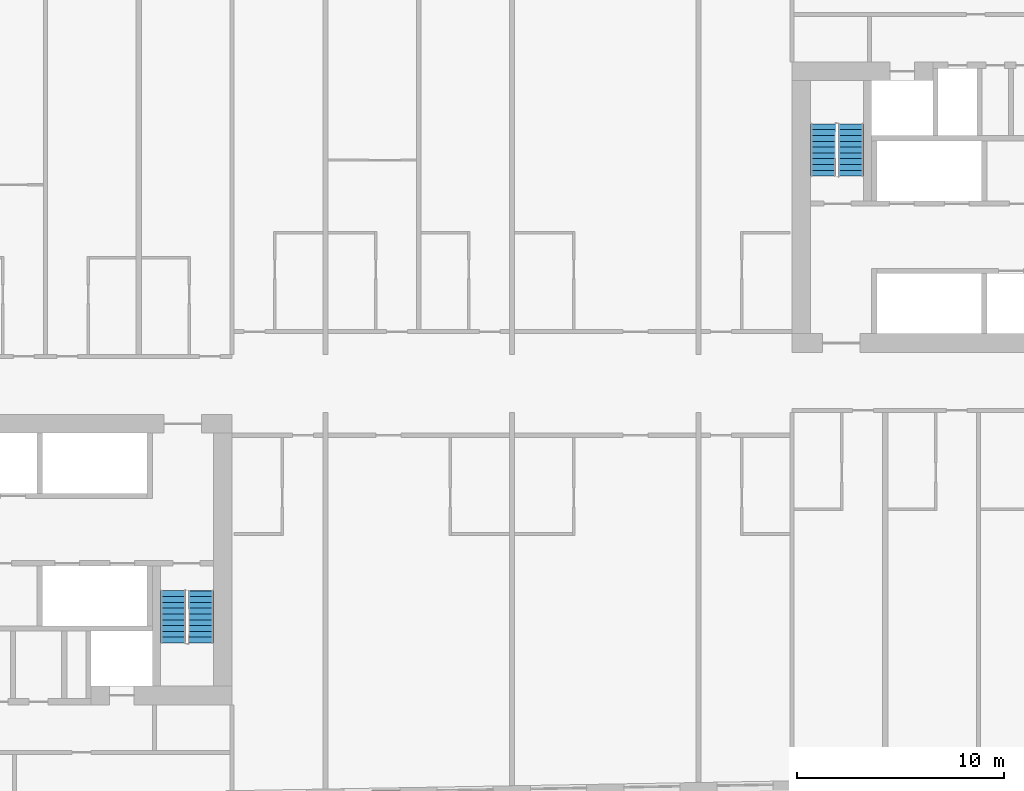
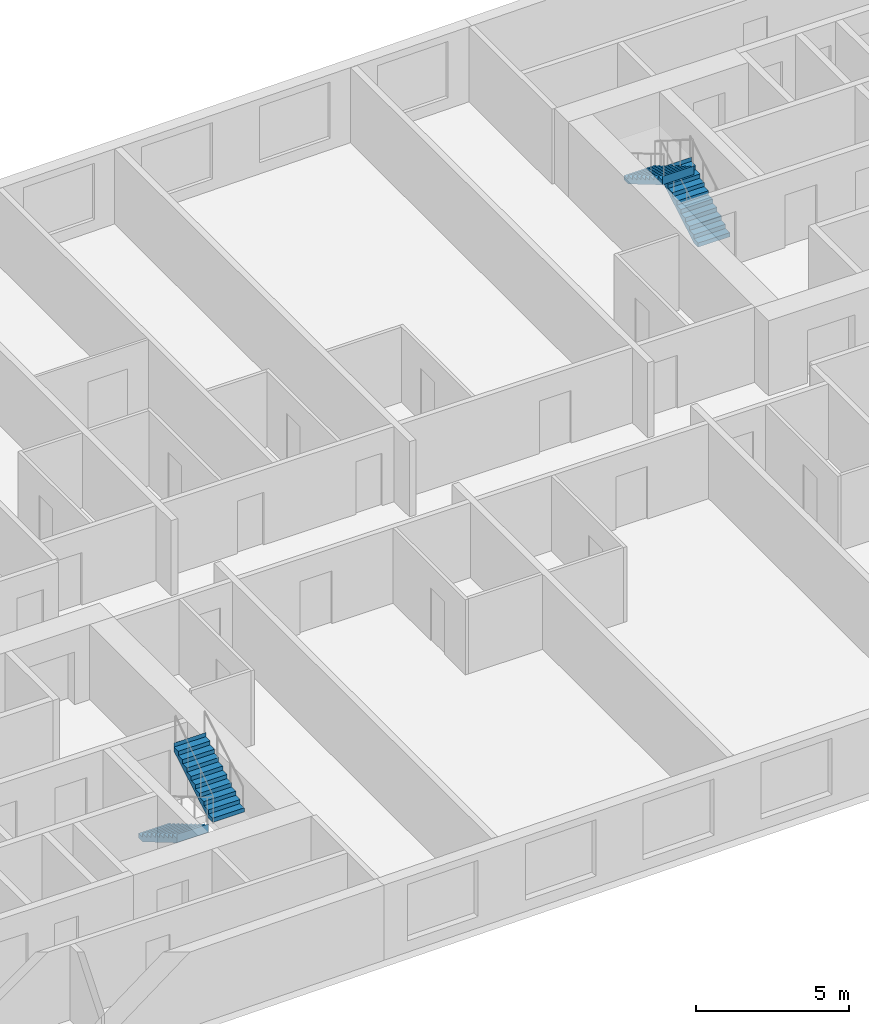
# One storey, part 9 of 11: 4 stair flights, 2 elements without a shape of their own.
"""IFC4 building model written with IfcOpenShell, lengths in metres."""

from ifc_helpers import new_model, si_unit, direction, frame, origin, place, context, subcontext, project, spatial, faceted_brep, material, type_object, element, aggregate, save


model = new_model("IFC4")

# Units and contexts
model_context = context("Model", 3, precision=1e-05, world=origin(), true_north=direction((0.0, 1.0)))
body_context = subcontext(model_context, "Body", "Model", "MODEL_VIEW")
ifc_project = project(units=[si_unit("LENGTHUNIT", "METRE"), si_unit("AREAUNIT", "SQUARE_METRE"), si_unit("VOLUMEUNIT", "CUBIC_METRE"), si_unit("PLANEANGLEUNIT", "RADIAN"), si_unit("MASSUNIT", "GRAM", prefix="KILO")], contexts=[model_context])

# Site, building, storey
site_placement = place(None, origin())
site = spatial("IfcSite", under=ifc_project, at=site_placement, CompositionType="ELEMENT")
building_placement = place(site_placement, origin())
building = spatial("IfcBuilding", under=site, at=building_placement, Name="Kajstack Hotel Tower", CompositionType="ELEMENT")
storey_placement = place(building_placement, frame((0.0, 0.0, 254.0)))
storey = spatial("IfcBuildingStorey", under=building, at=storey_placement, Name="L63", CompositionType="ELEMENT", Elevation=254.0)

# Stair, stair flights
ifc_material = material(Name="Concrete C40/50", Category="concrete")
stair_type = type_object("IfcStairType", Name="Exit stair 1200", PredefinedType="HALF_TURN_STAIR", material=ifc_material)
stair_1_placement = place(storey_placement, origin())
stair_1 = element("IfcStair", 1, at=stair_1_placement, inside=storey, type_object=stair_type, Name="L63 stair W2", PredefinedType="HALF_TURN_STAIR")
stair_flight_type = type_object("IfcStairFlightType", Name="Exit stair flight 1200", PredefinedType="STRAIGHT", material=ifc_material)
stair_flight_1_placement = place(storey_placement, frame((-16.35009765625, -10.0, 0.0), z_axis=(0.0, 0.0, 1.0), x_axis=(0.0, -1.0, 0.0)))
stair_flight_1 = element("IfcStairFlight", 2, at=stair_flight_1_placement, type_object=stair_flight_type, Name="W2 flight 1", NumberOfRisers=10, NumberOfTreads=9, PredefinedType="STRAIGHT", RiserHeight=0.165, TreadLength=0.28, context=body_context, shape_type="Brep", body=[
    faceted_brep([(0.295654296875, -0.60009765625, 0.0), (2.5205078125, -0.60009765625, 1.31103515625), (2.5205078125, -0.60009765625, 1.64990234375), (2.52001953125, -0.60009765625, 1.64990234375), (2.52001953125, -0.60009765625, 1.485107421875), (2.239990234375, -0.60009765625, 1.485107421875), (2.239990234375, -0.60009765625, 1.320068359375), (1.9599609375, -0.60009765625, 1.320068359375), (1.9599609375, -0.60009765625, 1.155029296875), (1.679931640625, -0.60009765625, 1.155029296875), (1.679931640625, -0.60009765625, 0.989990234375), (1.39990234375, -0.60009765625, 0.989990234375), (1.39990234375, -0.60009765625, 0.824951171875), (1.1201171875, -0.60009765625, 0.824951171875), (1.1201171875, -0.60009765625, 0.659912109375), (0.840087890625, -0.60009765625, 0.659912109375), (0.840087890625, -0.60009765625, 0.4951171875), (0.56005859375, -0.60009765625, 0.4951171875), (0.56005859375, -0.60009765625, 0.330078125), (0.280029296875, -0.60009765625, 0.330078125), (0.280029296875, -0.60009765625, 0.1650390625), (-0.00048828125, -0.60009765625, 0.1650390625), (-0.00048828125, -0.60009765625, 0.0), (-0.00048828125, 0.60009765625, 0.0), (-0.00048828125, 0.60009765625, 0.1650390625), (0.280029296875, 0.60009765625, 0.1650390625), (0.280029296875, 0.60009765625, 0.330078125), (0.56005859375, 0.60009765625, 0.330078125), (0.56005859375, 0.60009765625, 0.4951171875), (0.840087890625, 0.60009765625, 0.4951171875), (0.840087890625, 0.60009765625, 0.659912109375), (1.1201171875, 0.60009765625, 0.659912109375), (1.1201171875, 0.60009765625, 0.824951171875), (1.39990234375, 0.60009765625, 0.824951171875), (1.39990234375, 0.60009765625, 0.989990234375), (1.679931640625, 0.60009765625, 0.989990234375), (1.679931640625, 0.60009765625, 1.155029296875), (1.9599609375, 0.60009765625, 1.155029296875), (1.9599609375, 0.60009765625, 1.320068359375), (2.239990234375, 0.60009765625, 1.320068359375), (2.239990234375, 0.60009765625, 1.485107421875), (2.52001953125, 0.60009765625, 1.485107421875), (2.52001953125, 0.60009765625, 1.64990234375), (2.5205078125, 0.60009765625, 1.64990234375), (2.5205078125, 0.60009765625, 1.31103515625), (0.295654296875, 0.60009765625, 0.0), (-0.00048828125, -0.300048828125, 0.1650390625), (-0.00048828125, 0.0, 0.1650390625), (-0.00048828125, 0.300048828125, 0.1650390625), (-0.00048828125, 0.300048828125, 0.0), (-0.00048828125, 0.0, 0.0), (-0.00048828125, -0.300048828125, 0.0), (0.280029296875, -0.300048828125, 0.1650390625), (0.280029296875, 0.0, 0.1650390625), (0.280029296875, 0.300048828125, 0.1650390625), (0.280029296875, -0.300048828125, 0.330078125), (0.280029296875, 0.0, 0.330078125), (0.280029296875, 0.300048828125, 0.330078125), (0.56005859375, -0.300048828125, 0.330078125), (0.56005859375, 0.0, 0.330078125), (0.56005859375, 0.300048828125, 0.330078125), (0.56005859375, -0.300048828125, 0.4951171875), (0.56005859375, 0.0, 0.4951171875), (0.56005859375, 0.300048828125, 0.4951171875), (0.840087890625, -0.300048828125, 0.4951171875), (0.840087890625, 0.0, 0.4951171875), (0.840087890625, 0.300048828125, 0.4951171875), (0.840087890625, -0.300048828125, 0.659912109375), (0.840087890625, 0.0, 0.659912109375), (0.840087890625, 0.300048828125, 0.659912109375), (1.1201171875, -0.300048828125, 0.659912109375), (1.1201171875, 0.0, 0.659912109375), (1.1201171875, 0.300048828125, 0.659912109375), (1.1201171875, -0.300048828125, 0.824951171875), (1.1201171875, 0.0, 0.824951171875), (1.1201171875, 0.300048828125, 0.824951171875), (1.39990234375, -0.300048828125, 0.824951171875), (1.39990234375, 0.0, 0.824951171875), (1.39990234375, 0.300048828125, 0.824951171875), (1.39990234375, -0.300048828125, 0.989990234375), (1.39990234375, 0.0, 0.989990234375), (1.39990234375, 0.300048828125, 0.989990234375), (1.679931640625, -0.300048828125, 0.989990234375), (1.679931640625, 0.0, 0.989990234375), (1.679931640625, 0.300048828125, 0.989990234375), (1.679931640625, -0.300048828125, 1.155029296875), (1.679931640625, 0.0, 1.155029296875), (1.679931640625, 0.300048828125, 1.155029296875), (1.9599609375, -0.300048828125, 1.155029296875), (1.9599609375, 0.0, 1.155029296875), (1.9599609375, 0.300048828125, 1.155029296875), (1.9599609375, -0.300048828125, 1.320068359375), (1.9599609375, 0.0, 1.320068359375), (1.9599609375, 0.300048828125, 1.320068359375), (2.239990234375, -0.300048828125, 1.320068359375), (2.239990234375, 0.0, 1.320068359375), (2.239990234375, 0.300048828125, 1.320068359375), (2.239990234375, -0.300048828125, 1.485107421875), (2.239990234375, 0.0, 1.485107421875), (2.239990234375, 0.300048828125, 1.485107421875), (2.52001953125, -0.300048828125, 1.485107421875), (2.52001953125, 0.0, 1.485107421875), (2.52001953125, 0.300048828125, 1.485107421875), (2.52001953125, -0.300048828125, 1.64990234375), (2.52001953125, 0.0, 1.64990234375), (2.52001953125, 0.300048828125, 1.64990234375), (2.5205078125, -0.300048828125, 1.64990234375), (2.5205078125, 0.0, 1.64990234375), (2.5205078125, 0.300048828125, 1.64990234375), (2.5205078125, -0.300048828125, 1.31103515625), (2.5205078125, 0.0, 1.31103515625), (2.5205078125, 0.300048828125, 1.31103515625), (0.295654296875, -0.300048828125, 0.0), (0.295654296875, 0.0, 0.0), (0.295654296875, 0.300048828125, 0.0)], [[[0, 1, 2, 3, 4, 5, 6, 7, 8, 9, 10, 11, 12, 13, 14, 15, 16, 17, 18, 19, 20, 21, 22]], [[23, 24, 25, 26, 27, 28, 29, 30, 31, 32, 33, 34, 35, 36, 37, 38, 39, 40, 41, 42, 43, 44, 45]], [[21, 46, 47, 48, 24, 23, 49, 50, 51, 22]], [[20, 52, 53, 54, 25, 24, 48, 47, 46, 21]], [[19, 55, 56, 57, 26, 25, 54, 53, 52, 20]], [[18, 58, 59, 60, 27, 26, 57, 56, 55, 19]], [[17, 61, 62, 63, 28, 27, 60, 59, 58, 18]], [[16, 64, 65, 66, 29, 28, 63, 62, 61, 17]], [[15, 67, 68, 69, 30, 29, 66, 65, 64, 16]], [[14, 70, 71, 72, 31, 30, 69, 68, 67, 15]], [[13, 73, 74, 75, 32, 31, 72, 71, 70, 14]], [[12, 76, 77, 78, 33, 32, 75, 74, 73, 13]], [[11, 79, 80, 81, 34, 33, 78, 77, 76, 12]], [[10, 82, 83, 84, 35, 34, 81, 80, 79, 11]], [[9, 85, 86, 87, 36, 35, 84, 83, 82, 10]], [[8, 88, 89, 90, 37, 36, 87, 86, 85, 9]], [[7, 91, 92, 93, 38, 37, 90, 89, 88, 8]], [[6, 94, 95, 96, 39, 38, 93, 92, 91, 7]], [[5, 97, 98, 99, 40, 39, 96, 95, 94, 6]], [[4, 100, 101, 102, 41, 40, 99, 98, 97, 5]], [[3, 103, 104, 105, 42, 41, 102, 101, 100, 4]], [[2, 106, 107, 108, 43, 42, 105, 104, 103, 3]], [[1, 109, 110, 111, 44, 43, 108, 107, 106, 2]], [[0, 112, 113, 114, 45, 44, 111, 110, 109, 1]], [[22, 51, 50, 49, 23, 45, 114, 113, 112, 0]]]),
])
stair_flight_2_placement = place(storey_placement, frame((-15.0, -12.52001953125, 1.64990234375), z_axis=(0.0, 0.0, 1.0), x_axis=(0.0, 1.0, 0.0)))
stair_flight_2 = element("IfcStairFlight", 3, at=stair_flight_2_placement, type_object=stair_flight_type, Name="W2 flight 2", NumberOfRisers=10, NumberOfTreads=9, PredefinedType="STRAIGHT", RiserHeight=0.165, TreadLength=0.28, context=body_context, shape_type="Brep", body=[
    faceted_brep([(0.295654296875, -0.60009765625, 0.0), (2.5205078125, -0.60009765625, 1.31103515625), (2.5205078125, -0.60009765625, 1.64990234375), (2.52001953125, -0.60009765625, 1.64990234375), (2.52001953125, -0.60009765625, 1.485107421875), (2.239990234375, -0.60009765625, 1.485107421875), (2.239990234375, -0.60009765625, 1.320068359375), (1.9599609375, -0.60009765625, 1.320068359375), (1.9599609375, -0.60009765625, 1.155029296875), (1.679931640625, -0.60009765625, 1.155029296875), (1.679931640625, -0.60009765625, 0.989990234375), (1.39990234375, -0.60009765625, 0.989990234375), (1.39990234375, -0.60009765625, 0.824951171875), (1.1201171875, -0.60009765625, 0.824951171875), (1.1201171875, -0.60009765625, 0.659912109375), (0.840087890625, -0.60009765625, 0.659912109375), (0.840087890625, -0.60009765625, 0.4951171875), (0.56005859375, -0.60009765625, 0.4951171875), (0.56005859375, -0.60009765625, 0.330078125), (0.280029296875, -0.60009765625, 0.330078125), (0.280029296875, -0.60009765625, 0.1650390625), (-0.00048828125, -0.60009765625, 0.1650390625), (-0.00048828125, -0.60009765625, 0.0), (-0.00048828125, 0.60009765625, 0.0), (-0.00048828125, 0.60009765625, 0.1650390625), (0.280029296875, 0.60009765625, 0.1650390625), (0.280029296875, 0.60009765625, 0.330078125), (0.56005859375, 0.60009765625, 0.330078125), (0.56005859375, 0.60009765625, 0.4951171875), (0.840087890625, 0.60009765625, 0.4951171875), (0.840087890625, 0.60009765625, 0.659912109375), (1.1201171875, 0.60009765625, 0.659912109375), (1.1201171875, 0.60009765625, 0.824951171875), (1.39990234375, 0.60009765625, 0.824951171875), (1.39990234375, 0.60009765625, 0.989990234375), (1.679931640625, 0.60009765625, 0.989990234375), (1.679931640625, 0.60009765625, 1.155029296875), (1.9599609375, 0.60009765625, 1.155029296875), (1.9599609375, 0.60009765625, 1.320068359375), (2.239990234375, 0.60009765625, 1.320068359375), (2.239990234375, 0.60009765625, 1.485107421875), (2.52001953125, 0.60009765625, 1.485107421875), (2.52001953125, 0.60009765625, 1.64990234375), (2.5205078125, 0.60009765625, 1.64990234375), (2.5205078125, 0.60009765625, 1.31103515625), (0.295654296875, 0.60009765625, 0.0), (-0.00048828125, -0.300048828125, 0.1650390625), (-0.00048828125, 0.0, 0.1650390625), (-0.00048828125, 0.300048828125, 0.1650390625), (-0.00048828125, 0.300048828125, 0.0), (-0.00048828125, 0.0, 0.0), (-0.00048828125, -0.300048828125, 0.0), (0.280029296875, -0.300048828125, 0.1650390625), (0.280029296875, 0.0, 0.1650390625), (0.280029296875, 0.300048828125, 0.1650390625), (0.280029296875, -0.300048828125, 0.330078125), (0.280029296875, 0.0, 0.330078125), (0.280029296875, 0.300048828125, 0.330078125), (0.56005859375, -0.300048828125, 0.330078125), (0.56005859375, 0.0, 0.330078125), (0.56005859375, 0.300048828125, 0.330078125), (0.56005859375, -0.300048828125, 0.4951171875), (0.56005859375, 0.0, 0.4951171875), (0.56005859375, 0.300048828125, 0.4951171875), (0.840087890625, -0.300048828125, 0.4951171875), (0.840087890625, 0.0, 0.4951171875), (0.840087890625, 0.300048828125, 0.4951171875), (0.840087890625, -0.300048828125, 0.659912109375), (0.840087890625, 0.0, 0.659912109375), (0.840087890625, 0.300048828125, 0.659912109375), (1.1201171875, -0.300048828125, 0.659912109375), (1.1201171875, 0.0, 0.659912109375), (1.1201171875, 0.300048828125, 0.659912109375), (1.1201171875, -0.300048828125, 0.824951171875), (1.1201171875, 0.0, 0.824951171875), (1.1201171875, 0.300048828125, 0.824951171875), (1.39990234375, -0.300048828125, 0.824951171875), (1.39990234375, 0.0, 0.824951171875), (1.39990234375, 0.300048828125, 0.824951171875), (1.39990234375, -0.300048828125, 0.989990234375), (1.39990234375, 0.0, 0.989990234375), (1.39990234375, 0.300048828125, 0.989990234375), (1.679931640625, -0.300048828125, 0.989990234375), (1.679931640625, 0.0, 0.989990234375), (1.679931640625, 0.300048828125, 0.989990234375), (1.679931640625, -0.300048828125, 1.155029296875), (1.679931640625, 0.0, 1.155029296875), (1.679931640625, 0.300048828125, 1.155029296875), (1.9599609375, -0.300048828125, 1.155029296875), (1.9599609375, 0.0, 1.155029296875), (1.9599609375, 0.300048828125, 1.155029296875), (1.9599609375, -0.300048828125, 1.320068359375), (1.9599609375, 0.0, 1.320068359375), (1.9599609375, 0.300048828125, 1.320068359375), (2.239990234375, -0.300048828125, 1.320068359375), (2.239990234375, 0.0, 1.320068359375), (2.239990234375, 0.300048828125, 1.320068359375), (2.239990234375, -0.300048828125, 1.485107421875), (2.239990234375, 0.0, 1.485107421875), (2.239990234375, 0.300048828125, 1.485107421875), (2.52001953125, -0.300048828125, 1.485107421875), (2.52001953125, 0.0, 1.485107421875), (2.52001953125, 0.300048828125, 1.485107421875), (2.52001953125, -0.300048828125, 1.64990234375), (2.52001953125, 0.0, 1.64990234375), (2.52001953125, 0.300048828125, 1.64990234375), (2.5205078125, -0.300048828125, 1.64990234375), (2.5205078125, 0.0, 1.64990234375), (2.5205078125, 0.300048828125, 1.64990234375), (2.5205078125, -0.300048828125, 1.31103515625), (2.5205078125, 0.0, 1.31103515625), (2.5205078125, 0.300048828125, 1.31103515625), (0.295654296875, -0.300048828125, 0.0), (0.295654296875, 0.0, 0.0), (0.295654296875, 0.300048828125, 0.0)], [[[0, 1, 2, 3, 4, 5, 6, 7, 8, 9, 10, 11, 12, 13, 14, 15, 16, 17, 18, 19, 20, 21, 22]], [[23, 24, 25, 26, 27, 28, 29, 30, 31, 32, 33, 34, 35, 36, 37, 38, 39, 40, 41, 42, 43, 44, 45]], [[21, 46, 47, 48, 24, 23, 49, 50, 51, 22]], [[20, 52, 53, 54, 25, 24, 48, 47, 46, 21]], [[19, 55, 56, 57, 26, 25, 54, 53, 52, 20]], [[18, 58, 59, 60, 27, 26, 57, 56, 55, 19]], [[17, 61, 62, 63, 28, 27, 60, 59, 58, 18]], [[16, 64, 65, 66, 29, 28, 63, 62, 61, 17]], [[15, 67, 68, 69, 30, 29, 66, 65, 64, 16]], [[14, 70, 71, 72, 31, 30, 69, 68, 67, 15]], [[13, 73, 74, 75, 32, 31, 72, 71, 70, 14]], [[12, 76, 77, 78, 33, 32, 75, 74, 73, 13]], [[11, 79, 80, 81, 34, 33, 78, 77, 76, 12]], [[10, 82, 83, 84, 35, 34, 81, 80, 79, 11]], [[9, 85, 86, 87, 36, 35, 84, 83, 82, 10]], [[8, 88, 89, 90, 37, 36, 87, 86, 85, 9]], [[7, 91, 92, 93, 38, 37, 90, 89, 88, 8]], [[6, 94, 95, 96, 39, 38, 93, 92, 91, 7]], [[5, 97, 98, 99, 40, 39, 96, 95, 94, 6]], [[4, 100, 101, 102, 41, 40, 99, 98, 97, 5]], [[3, 103, 104, 105, 42, 41, 102, 101, 100, 4]], [[2, 106, 107, 108, 43, 42, 105, 104, 103, 3]], [[1, 109, 110, 111, 44, 43, 108, 107, 106, 2]], [[0, 112, 113, 114, 45, 44, 111, 110, 109, 1]], [[22, 51, 50, 49, 23, 45, 114, 113, 112, 0]]]),
])
aggregate(stair_1, [stair_flight_1, stair_flight_2])

stair_2_placement = place(storey_placement, origin())
stair_2 = element("IfcStair", 4, at=stair_2_placement, inside=storey, type_object=stair_type, Name="L63 stair E2", PredefinedType="HALF_TURN_STAIR")
stair_flight_3_placement = place(storey_placement, frame((16.35009765625, 10.0, 0.0), z_axis=(0.0, 0.0, 1.0), x_axis=(0.0, 1.0, 0.0)))
stair_flight_3 = element("IfcStairFlight", 5, at=stair_flight_3_placement, type_object=stair_flight_type, Name="E2 flight 1", NumberOfRisers=10, NumberOfTreads=9, PredefinedType="STRAIGHT", RiserHeight=0.165, TreadLength=0.28, context=body_context, shape_type="Brep", body=[
    faceted_brep([(0.295654296875, -0.60009765625, 0.0), (2.5205078125, -0.60009765625, 1.31103515625), (2.5205078125, -0.60009765625, 1.64990234375), (2.52001953125, -0.60009765625, 1.64990234375), (2.52001953125, -0.60009765625, 1.485107421875), (2.239990234375, -0.60009765625, 1.485107421875), (2.239990234375, -0.60009765625, 1.320068359375), (1.9599609375, -0.60009765625, 1.320068359375), (1.9599609375, -0.60009765625, 1.155029296875), (1.679931640625, -0.60009765625, 1.155029296875), (1.679931640625, -0.60009765625, 0.989990234375), (1.39990234375, -0.60009765625, 0.989990234375), (1.39990234375, -0.60009765625, 0.824951171875), (1.1201171875, -0.60009765625, 0.824951171875), (1.1201171875, -0.60009765625, 0.659912109375), (0.840087890625, -0.60009765625, 0.659912109375), (0.840087890625, -0.60009765625, 0.4951171875), (0.56005859375, -0.60009765625, 0.4951171875), (0.56005859375, -0.60009765625, 0.330078125), (0.280029296875, -0.60009765625, 0.330078125), (0.280029296875, -0.60009765625, 0.1650390625), (-0.00048828125, -0.60009765625, 0.1650390625), (-0.00048828125, -0.60009765625, 0.0), (-0.00048828125, 0.60009765625, 0.0), (-0.00048828125, 0.60009765625, 0.1650390625), (0.280029296875, 0.60009765625, 0.1650390625), (0.280029296875, 0.60009765625, 0.330078125), (0.56005859375, 0.60009765625, 0.330078125), (0.56005859375, 0.60009765625, 0.4951171875), (0.840087890625, 0.60009765625, 0.4951171875), (0.840087890625, 0.60009765625, 0.659912109375), (1.1201171875, 0.60009765625, 0.659912109375), (1.1201171875, 0.60009765625, 0.824951171875), (1.39990234375, 0.60009765625, 0.824951171875), (1.39990234375, 0.60009765625, 0.989990234375), (1.679931640625, 0.60009765625, 0.989990234375), (1.679931640625, 0.60009765625, 1.155029296875), (1.9599609375, 0.60009765625, 1.155029296875), (1.9599609375, 0.60009765625, 1.320068359375), (2.239990234375, 0.60009765625, 1.320068359375), (2.239990234375, 0.60009765625, 1.485107421875), (2.52001953125, 0.60009765625, 1.485107421875), (2.52001953125, 0.60009765625, 1.64990234375), (2.5205078125, 0.60009765625, 1.64990234375), (2.5205078125, 0.60009765625, 1.31103515625), (0.295654296875, 0.60009765625, 0.0), (-0.00048828125, -0.300048828125, 0.1650390625), (-0.00048828125, 0.0, 0.1650390625), (-0.00048828125, 0.300048828125, 0.1650390625), (-0.00048828125, 0.300048828125, 0.0), (-0.00048828125, 0.0, 0.0), (-0.00048828125, -0.300048828125, 0.0), (0.280029296875, -0.300048828125, 0.1650390625), (0.280029296875, 0.0, 0.1650390625), (0.280029296875, 0.300048828125, 0.1650390625), (0.280029296875, -0.300048828125, 0.330078125), (0.280029296875, 0.0, 0.330078125), (0.280029296875, 0.300048828125, 0.330078125), (0.56005859375, -0.300048828125, 0.330078125), (0.56005859375, 0.0, 0.330078125), (0.56005859375, 0.300048828125, 0.330078125), (0.56005859375, -0.300048828125, 0.4951171875), (0.56005859375, 0.0, 0.4951171875), (0.56005859375, 0.300048828125, 0.4951171875), (0.840087890625, -0.300048828125, 0.4951171875), (0.840087890625, 0.0, 0.4951171875), (0.840087890625, 0.300048828125, 0.4951171875), (0.840087890625, -0.300048828125, 0.659912109375), (0.840087890625, 0.0, 0.659912109375), (0.840087890625, 0.300048828125, 0.659912109375), (1.1201171875, -0.300048828125, 0.659912109375), (1.1201171875, 0.0, 0.659912109375), (1.1201171875, 0.300048828125, 0.659912109375), (1.1201171875, -0.300048828125, 0.824951171875), (1.1201171875, 0.0, 0.824951171875), (1.1201171875, 0.300048828125, 0.824951171875), (1.39990234375, -0.300048828125, 0.824951171875), (1.39990234375, 0.0, 0.824951171875), (1.39990234375, 0.300048828125, 0.824951171875), (1.39990234375, -0.300048828125, 0.989990234375), (1.39990234375, 0.0, 0.989990234375), (1.39990234375, 0.300048828125, 0.989990234375), (1.679931640625, -0.300048828125, 0.989990234375), (1.679931640625, 0.0, 0.989990234375), (1.679931640625, 0.300048828125, 0.989990234375), (1.679931640625, -0.300048828125, 1.155029296875), (1.679931640625, 0.0, 1.155029296875), (1.679931640625, 0.300048828125, 1.155029296875), (1.9599609375, -0.300048828125, 1.155029296875), (1.9599609375, 0.0, 1.155029296875), (1.9599609375, 0.300048828125, 1.155029296875), (1.9599609375, -0.300048828125, 1.320068359375), (1.9599609375, 0.0, 1.320068359375), (1.9599609375, 0.300048828125, 1.320068359375), (2.239990234375, -0.300048828125, 1.320068359375), (2.239990234375, 0.0, 1.320068359375), (2.239990234375, 0.300048828125, 1.320068359375), (2.239990234375, -0.300048828125, 1.485107421875), (2.239990234375, 0.0, 1.485107421875), (2.239990234375, 0.300048828125, 1.485107421875), (2.52001953125, -0.300048828125, 1.485107421875), (2.52001953125, 0.0, 1.485107421875), (2.52001953125, 0.300048828125, 1.485107421875), (2.52001953125, -0.300048828125, 1.64990234375), (2.52001953125, 0.0, 1.64990234375), (2.52001953125, 0.300048828125, 1.64990234375), (2.5205078125, -0.300048828125, 1.64990234375), (2.5205078125, 0.0, 1.64990234375), (2.5205078125, 0.300048828125, 1.64990234375), (2.5205078125, -0.300048828125, 1.31103515625), (2.5205078125, 0.0, 1.31103515625), (2.5205078125, 0.300048828125, 1.31103515625), (0.295654296875, -0.300048828125, 0.0), (0.295654296875, 0.0, 0.0), (0.295654296875, 0.300048828125, 0.0)], [[[0, 1, 2, 3, 4, 5, 6, 7, 8, 9, 10, 11, 12, 13, 14, 15, 16, 17, 18, 19, 20, 21, 22]], [[23, 24, 25, 26, 27, 28, 29, 30, 31, 32, 33, 34, 35, 36, 37, 38, 39, 40, 41, 42, 43, 44, 45]], [[21, 46, 47, 48, 24, 23, 49, 50, 51, 22]], [[20, 52, 53, 54, 25, 24, 48, 47, 46, 21]], [[19, 55, 56, 57, 26, 25, 54, 53, 52, 20]], [[18, 58, 59, 60, 27, 26, 57, 56, 55, 19]], [[17, 61, 62, 63, 28, 27, 60, 59, 58, 18]], [[16, 64, 65, 66, 29, 28, 63, 62, 61, 17]], [[15, 67, 68, 69, 30, 29, 66, 65, 64, 16]], [[14, 70, 71, 72, 31, 30, 69, 68, 67, 15]], [[13, 73, 74, 75, 32, 31, 72, 71, 70, 14]], [[12, 76, 77, 78, 33, 32, 75, 74, 73, 13]], [[11, 79, 80, 81, 34, 33, 78, 77, 76, 12]], [[10, 82, 83, 84, 35, 34, 81, 80, 79, 11]], [[9, 85, 86, 87, 36, 35, 84, 83, 82, 10]], [[8, 88, 89, 90, 37, 36, 87, 86, 85, 9]], [[7, 91, 92, 93, 38, 37, 90, 89, 88, 8]], [[6, 94, 95, 96, 39, 38, 93, 92, 91, 7]], [[5, 97, 98, 99, 40, 39, 96, 95, 94, 6]], [[4, 100, 101, 102, 41, 40, 99, 98, 97, 5]], [[3, 103, 104, 105, 42, 41, 102, 101, 100, 4]], [[2, 106, 107, 108, 43, 42, 105, 104, 103, 3]], [[1, 109, 110, 111, 44, 43, 108, 107, 106, 2]], [[0, 112, 113, 114, 45, 44, 111, 110, 109, 1]], [[22, 51, 50, 49, 23, 45, 114, 113, 112, 0]]]),
])
stair_flight_4_placement = place(storey_placement, frame((15.0, 12.52001953125, 1.64990234375), z_axis=(0.0, 0.0, 1.0), x_axis=(0.0, -1.0, 0.0)))
stair_flight_4 = element("IfcStairFlight", 6, at=stair_flight_4_placement, type_object=stair_flight_type, Name="E2 flight 2", NumberOfRisers=10, NumberOfTreads=9, PredefinedType="STRAIGHT", RiserHeight=0.165, TreadLength=0.28, context=body_context, shape_type="Brep", body=[
    faceted_brep([(0.295654296875, -0.60009765625, 0.0), (2.5205078125, -0.60009765625, 1.31103515625), (2.5205078125, -0.60009765625, 1.64990234375), (2.52001953125, -0.60009765625, 1.64990234375), (2.52001953125, -0.60009765625, 1.485107421875), (2.239990234375, -0.60009765625, 1.485107421875), (2.239990234375, -0.60009765625, 1.320068359375), (1.9599609375, -0.60009765625, 1.320068359375), (1.9599609375, -0.60009765625, 1.155029296875), (1.679931640625, -0.60009765625, 1.155029296875), (1.679931640625, -0.60009765625, 0.989990234375), (1.39990234375, -0.60009765625, 0.989990234375), (1.39990234375, -0.60009765625, 0.824951171875), (1.1201171875, -0.60009765625, 0.824951171875), (1.1201171875, -0.60009765625, 0.659912109375), (0.840087890625, -0.60009765625, 0.659912109375), (0.840087890625, -0.60009765625, 0.4951171875), (0.56005859375, -0.60009765625, 0.4951171875), (0.56005859375, -0.60009765625, 0.330078125), (0.280029296875, -0.60009765625, 0.330078125), (0.280029296875, -0.60009765625, 0.1650390625), (-0.00048828125, -0.60009765625, 0.1650390625), (-0.00048828125, -0.60009765625, 0.0), (-0.00048828125, 0.60009765625, 0.0), (-0.00048828125, 0.60009765625, 0.1650390625), (0.280029296875, 0.60009765625, 0.1650390625), (0.280029296875, 0.60009765625, 0.330078125), (0.56005859375, 0.60009765625, 0.330078125), (0.56005859375, 0.60009765625, 0.4951171875), (0.840087890625, 0.60009765625, 0.4951171875), (0.840087890625, 0.60009765625, 0.659912109375), (1.1201171875, 0.60009765625, 0.659912109375), (1.1201171875, 0.60009765625, 0.824951171875), (1.39990234375, 0.60009765625, 0.824951171875), (1.39990234375, 0.60009765625, 0.989990234375), (1.679931640625, 0.60009765625, 0.989990234375), (1.679931640625, 0.60009765625, 1.155029296875), (1.9599609375, 0.60009765625, 1.155029296875), (1.9599609375, 0.60009765625, 1.320068359375), (2.239990234375, 0.60009765625, 1.320068359375), (2.239990234375, 0.60009765625, 1.485107421875), (2.52001953125, 0.60009765625, 1.485107421875), (2.52001953125, 0.60009765625, 1.64990234375), (2.5205078125, 0.60009765625, 1.64990234375), (2.5205078125, 0.60009765625, 1.31103515625), (0.295654296875, 0.60009765625, 0.0), (-0.00048828125, -0.300048828125, 0.1650390625), (-0.00048828125, 0.0, 0.1650390625), (-0.00048828125, 0.300048828125, 0.1650390625), (-0.00048828125, 0.300048828125, 0.0), (-0.00048828125, 0.0, 0.0), (-0.00048828125, -0.300048828125, 0.0), (0.280029296875, -0.300048828125, 0.1650390625), (0.280029296875, 0.0, 0.1650390625), (0.280029296875, 0.300048828125, 0.1650390625), (0.280029296875, -0.300048828125, 0.330078125), (0.280029296875, 0.0, 0.330078125), (0.280029296875, 0.300048828125, 0.330078125), (0.56005859375, -0.300048828125, 0.330078125), (0.56005859375, 0.0, 0.330078125), (0.56005859375, 0.300048828125, 0.330078125), (0.56005859375, -0.300048828125, 0.4951171875), (0.56005859375, 0.0, 0.4951171875), (0.56005859375, 0.300048828125, 0.4951171875), (0.840087890625, -0.300048828125, 0.4951171875), (0.840087890625, 0.0, 0.4951171875), (0.840087890625, 0.300048828125, 0.4951171875), (0.840087890625, -0.300048828125, 0.659912109375), (0.840087890625, 0.0, 0.659912109375), (0.840087890625, 0.300048828125, 0.659912109375), (1.1201171875, -0.300048828125, 0.659912109375), (1.1201171875, 0.0, 0.659912109375), (1.1201171875, 0.300048828125, 0.659912109375), (1.1201171875, -0.300048828125, 0.824951171875), (1.1201171875, 0.0, 0.824951171875), (1.1201171875, 0.300048828125, 0.824951171875), (1.39990234375, -0.300048828125, 0.824951171875), (1.39990234375, 0.0, 0.824951171875), (1.39990234375, 0.300048828125, 0.824951171875), (1.39990234375, -0.300048828125, 0.989990234375), (1.39990234375, 0.0, 0.989990234375), (1.39990234375, 0.300048828125, 0.989990234375), (1.679931640625, -0.300048828125, 0.989990234375), (1.679931640625, 0.0, 0.989990234375), (1.679931640625, 0.300048828125, 0.989990234375), (1.679931640625, -0.300048828125, 1.155029296875), (1.679931640625, 0.0, 1.155029296875), (1.679931640625, 0.300048828125, 1.155029296875), (1.9599609375, -0.300048828125, 1.155029296875), (1.9599609375, 0.0, 1.155029296875), (1.9599609375, 0.300048828125, 1.155029296875), (1.9599609375, -0.300048828125, 1.320068359375), (1.9599609375, 0.0, 1.320068359375), (1.9599609375, 0.300048828125, 1.320068359375), (2.239990234375, -0.300048828125, 1.320068359375), (2.239990234375, 0.0, 1.320068359375), (2.239990234375, 0.300048828125, 1.320068359375), (2.239990234375, -0.300048828125, 1.485107421875), (2.239990234375, 0.0, 1.485107421875), (2.239990234375, 0.300048828125, 1.485107421875), (2.52001953125, -0.300048828125, 1.485107421875), (2.52001953125, 0.0, 1.485107421875), (2.52001953125, 0.300048828125, 1.485107421875), (2.52001953125, -0.300048828125, 1.64990234375), (2.52001953125, 0.0, 1.64990234375), (2.52001953125, 0.300048828125, 1.64990234375), (2.5205078125, -0.300048828125, 1.64990234375), (2.5205078125, 0.0, 1.64990234375), (2.5205078125, 0.300048828125, 1.64990234375), (2.5205078125, -0.300048828125, 1.31103515625), (2.5205078125, 0.0, 1.31103515625), (2.5205078125, 0.300048828125, 1.31103515625), (0.295654296875, -0.300048828125, 0.0), (0.295654296875, 0.0, 0.0), (0.295654296875, 0.300048828125, 0.0)], [[[0, 1, 2, 3, 4, 5, 6, 7, 8, 9, 10, 11, 12, 13, 14, 15, 16, 17, 18, 19, 20, 21, 22]], [[23, 24, 25, 26, 27, 28, 29, 30, 31, 32, 33, 34, 35, 36, 37, 38, 39, 40, 41, 42, 43, 44, 45]], [[21, 46, 47, 48, 24, 23, 49, 50, 51, 22]], [[20, 52, 53, 54, 25, 24, 48, 47, 46, 21]], [[19, 55, 56, 57, 26, 25, 54, 53, 52, 20]], [[18, 58, 59, 60, 27, 26, 57, 56, 55, 19]], [[17, 61, 62, 63, 28, 27, 60, 59, 58, 18]], [[16, 64, 65, 66, 29, 28, 63, 62, 61, 17]], [[15, 67, 68, 69, 30, 29, 66, 65, 64, 16]], [[14, 70, 71, 72, 31, 30, 69, 68, 67, 15]], [[13, 73, 74, 75, 32, 31, 72, 71, 70, 14]], [[12, 76, 77, 78, 33, 32, 75, 74, 73, 13]], [[11, 79, 80, 81, 34, 33, 78, 77, 76, 12]], [[10, 82, 83, 84, 35, 34, 81, 80, 79, 11]], [[9, 85, 86, 87, 36, 35, 84, 83, 82, 10]], [[8, 88, 89, 90, 37, 36, 87, 86, 85, 9]], [[7, 91, 92, 93, 38, 37, 90, 89, 88, 8]], [[6, 94, 95, 96, 39, 38, 93, 92, 91, 7]], [[5, 97, 98, 99, 40, 39, 96, 95, 94, 6]], [[4, 100, 101, 102, 41, 40, 99, 98, 97, 5]], [[3, 103, 104, 105, 42, 41, 102, 101, 100, 4]], [[2, 106, 107, 108, 43, 42, 105, 104, 103, 3]], [[1, 109, 110, 111, 44, 43, 108, 107, 106, 2]], [[0, 112, 113, 114, 45, 44, 111, 110, 109, 1]], [[22, 51, 50, 49, 23, 45, 114, 113, 112, 0]]]),
])
aggregate(stair_2, [stair_flight_3, stair_flight_4])

save(model, "model.ifc")
